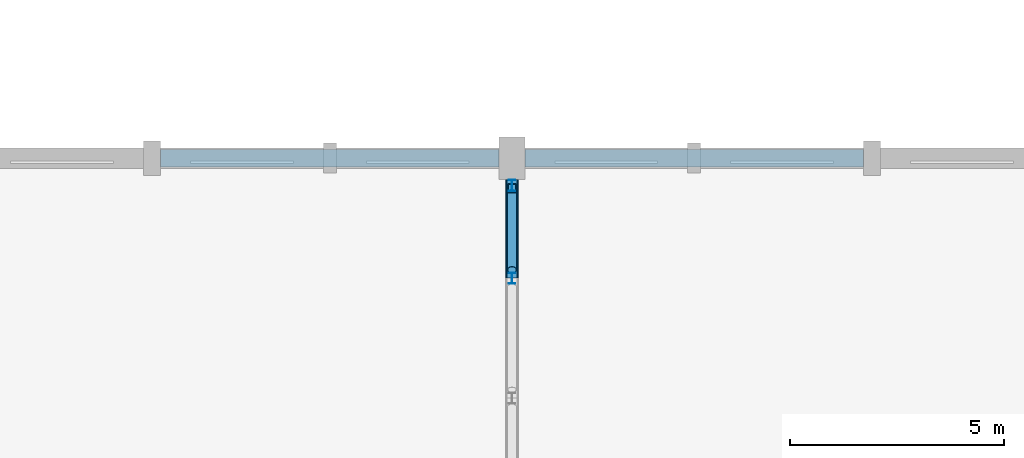
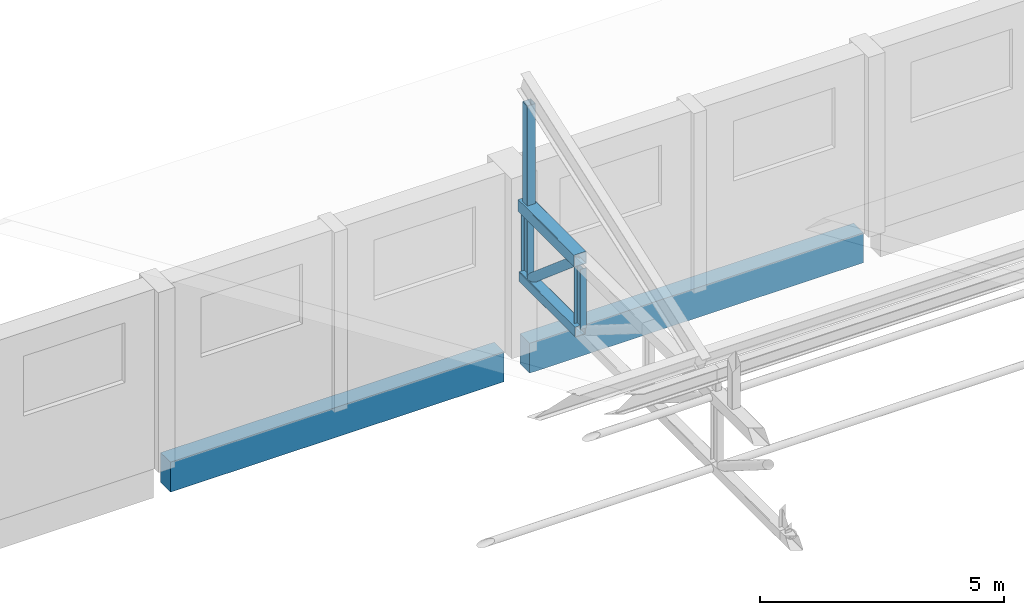
# One storey, part 23 of 101: 6 members, 2 beams.
"""IFC4 building model written with IfcOpenShell, lengths in metres."""

from ifc_helpers import new_model, si_unit, direction, frame, origin, origin_2d, place, context, subcontext, project, spatial, rectangle, hollow_rectangle, hollow_circle, i_section, extrude, material, material_profile, profile_set, type_object, element, save


model = new_model("IFC4")

# Units and contexts
model_context = context("Model", 3, precision=1e-05, world=origin(), true_north=direction((0.0, 1.0)))
body_context = subcontext(model_context, "Body", "Model", "MODEL_VIEW")
ifc_project = project(units=[si_unit("LENGTHUNIT", "METRE"), si_unit("AREAUNIT", "SQUARE_METRE"), si_unit("VOLUMEUNIT", "CUBIC_METRE"), si_unit("PLANEANGLEUNIT", "RADIAN"), si_unit("MASSUNIT", "GRAM", prefix="KILO")], contexts=[model_context])

# Site, building, storey
site_placement = place(None, origin())
site = spatial("IfcSite", under=ifc_project, at=site_placement, CompositionType="ELEMENT")
building_placement = place(site_placement, origin())
building = spatial("IfcBuilding", under=site, at=building_placement, Name="Fescue Hill Polytechnic", CompositionType="ELEMENT")
storey_placement = place(building_placement, frame((0.0, 0.0, 9.0)))
storey = spatial("IfcBuildingStorey", under=building, at=storey_placement, Name="L02", CompositionType="ELEMENT", Elevation=9.0)

# Beams
ifc_material_1 = material(Name="Concrete 35 MPa", Category="concrete")
ifc_material_profile_1 = material_profile(ifc_material_1, rectangle(XDim=0.39990234375, YDim=0.75, at=origin_2d()), Name="RC 400x750")
ifc_profile_set_1 = profile_set([ifc_material_profile_1], Name="Concrete 35 MPa")
beam_type = type_object("IfcBeamType", Name="Beam RC 400x750", PredefinedType="BEAM", material=ifc_profile_set_1)
for number, where, z_axis, x_axis, name in (
    (1, (50.10009765625, 50.39990234375, -0.375), (-1.0, 0.0, 0.0), (0.0, -1.0, 0.0), "BM-L02-0152"),
    (2, (58.60009765625, 50.39990234375, -0.375), (-1.0, 0.0, 0.0), (0.0, -1.0, 0.0), "BM-L02-0153"),
):
    element("IfcBeam", number, at=place(storey_placement, frame(where, z_axis=z_axis, x_axis=x_axis)), inside=storey, type_object=beam_type, Name=name, PredefinedType="BEAM", context=body_context, shape_type="SweptSolid", body=[
        extrude(rectangle(XDim=0.39990234375, YDim=0.75, at=origin_2d()), origin(), (0.0, 0.0, 1.0), 7.900146484375),
    ])

# Members
ifc_material_2 = material(Name="Steel 350W (350 MPa)", Category="steel")
ifc_material_profile_2 = material_profile(ifc_material_2, hollow_rectangle(XDim=0.25390625, YDim=0.25390625, WallThickness=0.0126953125, InnerFilletRadius=0.0126953125, OuterFilletRadius=0.025390625, at=origin_2d()), Name="Hall truss bottom chord HSS 254x254x13")
ifc_profile_set_2 = profile_set([ifc_material_profile_2], Name="Steel 350W (350 MPa)")
member_type_1 = type_object("IfcMemberType", Name="Hall truss bottom chord HSS 254x254x13", PredefinedType="CHORD", material=ifc_profile_set_2)
member_1_placement = place(storey_placement, frame((50.39990234375, 47.60009765625, 2.0), z_axis=(0.0, 1.0, 0.0), x_axis=(-1.0, 0.0, 0.0)))
element("IfcMember", 3, at=member_1_placement, inside=storey, type_object=member_type_1, Name="Truss TR4 bottom chord 12", PredefinedType="CHORD", context=body_context, shape_type="SweptSolid", body=[
    extrude(hollow_rectangle(XDim=0.25390625, YDim=0.25390625, WallThickness=0.0126953125, InnerFilletRadius=0.0126953125, OuterFilletRadius=0.025390625, at=origin_2d()), origin(), (0.0, 0.0, 1.0), 2.2998046875),
])
ifc_material_profile_3 = material_profile(ifc_material_2, hollow_circle(Radius=0.109619140625, WallThickness=0.009521484375, at=origin_2d()), Name="Hall truss diagonal CHS 219x9.5")
ifc_profile_set_3 = profile_set([ifc_material_profile_3], Name="Steel 350W (350 MPa)")
member_type_2 = type_object("IfcMemberType", Name="Hall truss diagonal CHS 219x9.5", PredefinedType="BRACE", material=ifc_profile_set_3)
member_2_placement = place(storey_placement, frame((50.39990234375, 47.800048828125, 3.631103515625), z_axis=(0.0, 0.761443253909, -0.648231572107), x_axis=(-1.0, 0.0, 0.0)))
element("IfcMember", 4, at=member_2_placement, inside=storey, type_object=member_type_2, Name="Truss TR4 diagonal 12", PredefinedType="BRACE", context=body_context, shape_type="SweptSolid", body=[
    extrude(hollow_circle(Radius=0.109619140625, WallThickness=0.009521484375, at=origin_2d()), origin(), (0.0, 0.0, 1.0), 2.3203125),
])
ifc_material_profile_4 = material_profile(ifc_material_2, i_section(OverallWidth=0.14794921875, OverallDepth=0.26611328125, WebThickness=0.007568359375, FlangeThickness=0.012939453125, FilletRadius=0.013916015625, at=origin_2d()), Name="W250x45")
ifc_profile_set_4 = profile_set([ifc_material_profile_4], Name="Steel 350W (350 MPa)")
member_type_3 = type_object("IfcMemberType", Name="Hall truss post W250x45", PredefinedType="POST", material=ifc_profile_set_4)
for number, where, z_axis, x_axis, name in (
    (5, (50.39990234375, 47.60009765625, 2.126953125), (0.0, 0.0, 1.0), (1.0, 0.0, 0.0), "Truss TR4 post 12"),
    (6, (50.39990234375, 49.76708984375, 2.126953125), (0.0, 0.0, 1.0), (1.0, 0.0, 0.0), "Truss TR4 post 13"),
):
    element("IfcMember", number, at=place(storey_placement, frame(where, z_axis=z_axis, x_axis=x_axis)), inside=storey, type_object=member_type_3, Name=name, PredefinedType="POST", context=body_context, shape_type="SweptSolid", body=[
        extrude(i_section(OverallWidth=0.14794921875, OverallDepth=0.26611328125, WebThickness=0.007568359375, FlangeThickness=0.012939453125, FilletRadius=0.013916015625, at=origin_2d()), origin(), (0.0, 0.0, 1.0), 1.504150390625),
    ])
ifc_material_profile_5 = material_profile(ifc_material_2, hollow_rectangle(XDim=0.3046875, YDim=0.3046875, WallThickness=0.0126953125, InnerFilletRadius=0.0126953125, OuterFilletRadius=0.025390625, at=origin_2d()), Name="Hall truss top chord HSS 305x305x13")
ifc_profile_set_5 = profile_set([ifc_material_profile_5], Name="Steel 350W (350 MPa)")
member_type_4 = type_object("IfcMemberType", Name="Hall truss top chord HSS 305x305x13", PredefinedType="CHORD", material=ifc_profile_set_5)
member_3_placement = place(storey_placement, frame((50.39990234375, 47.60009765625, 3.783447265625), z_axis=(0.0, 1.0, 0.0), x_axis=(-1.0, 0.0, 0.0)))
element("IfcMember", 7, at=member_3_placement, inside=storey, type_object=member_type_4, Name="Truss TR4 top chord 12", PredefinedType="CHORD", context=body_context, shape_type="SweptSolid", body=[
    extrude(hollow_rectangle(XDim=0.3046875, YDim=0.3046875, WallThickness=0.0126953125, InnerFilletRadius=0.0126953125, OuterFilletRadius=0.025390625, at=origin_2d()), origin(), (0.0, 0.0, 1.0), 2.2998046875),
])
ifc_material_profile_6 = material_profile(ifc_material_2, hollow_rectangle(XDim=0.203125, YDim=0.203125, WallThickness=0.009521484375, InnerFilletRadius=0.009521484375, OuterFilletRadius=0.01904296875, at=origin_2d()), Name="Tooth ridge post HSS 203x203x9.5")
ifc_profile_set_6 = profile_set([ifc_material_profile_6], Name="Steel 350W (350 MPa)")
member_type_5 = type_object("IfcMemberType", Name="Tooth ridge post HSS 203x203x9.5", PredefinedType="POST", material=ifc_profile_set_6)
member_4_placement = place(storey_placement, frame((50.39990234375, 49.699951171875, 3.93603515625), z_axis=(0.0, 0.0, 1.0), x_axis=(1.0, 0.0, 0.0)))
element("IfcMember", 8, at=member_4_placement, inside=storey, type_object=member_type_5, Name="Tooth 4 ridge post on TR4", PredefinedType="POST", context=body_context, shape_type="SweptSolid", body=[
    extrude(hollow_rectangle(XDim=0.203125, YDim=0.203125, WallThickness=0.009521484375, InnerFilletRadius=0.009521484375, OuterFilletRadius=0.01904296875, at=origin_2d()), origin(), (0.0, 0.0, 1.0), 2.499267578125),
])

save(model, "model.ifc")
